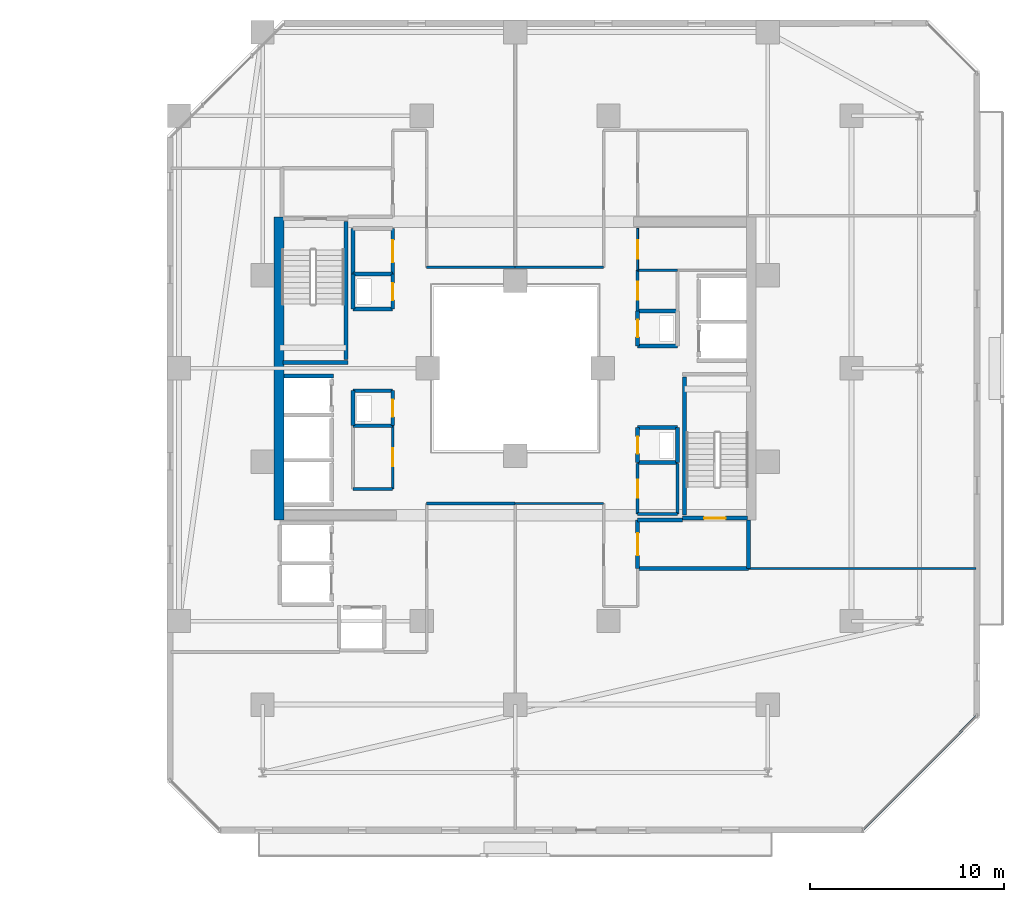
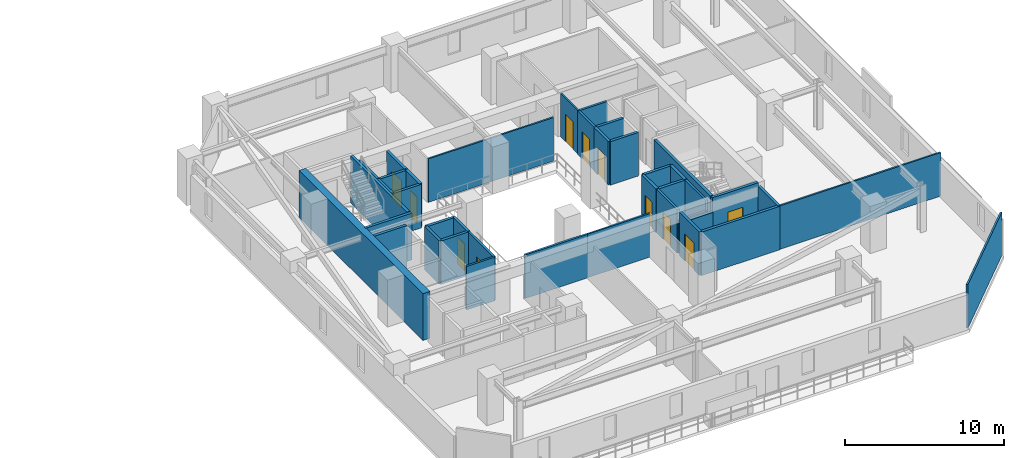
# One storey, part 23 of 32: 41 walls, 11 doors, 11 openings.
"""IFC4 building model written with IfcOpenShell, lengths in metres."""

from ifc_helpers import new_model, si_unit, direction, frame, frame_2d, origin, place, context, subcontext, project, spatial, rectangle, extrude, material, layer, layer_set, type_object, element, fill, save


model = new_model("IFC4")

# Units and contexts
model_context = context("Model", 3, precision=1e-05, world=origin(), true_north=direction((0.0, 1.0)))
body_context = subcontext(model_context, "Body", "Model", "MODEL_VIEW")
ifc_project = project(units=[si_unit("LENGTHUNIT", "METRE"), si_unit("AREAUNIT", "SQUARE_METRE"), si_unit("VOLUMEUNIT", "CUBIC_METRE"), si_unit("PLANEANGLEUNIT", "RADIAN"), si_unit("MASSUNIT", "GRAM", prefix="KILO")], contexts=[model_context])

# Site, building, storey
site_placement = place(None, origin())
site = spatial("IfcSite", under=ifc_project, at=site_placement, CompositionType="ELEMENT")
building_placement = place(site_placement, origin())
building = spatial("IfcBuilding", under=site, at=building_placement, Name="Thornwick Lancets Civic Towers", CompositionType="ELEMENT")
storey_placement = place(building_placement, frame((0.0, 0.0, 123.300048828125)))
storey = spatial("IfcBuildingStorey", under=building, at=storey_placement, Name="L32", CompositionType="ELEMENT", Elevation=123.300048828125)

# Walls
ifc_material_1 = material(Name="Concrete blockwork C40/50", Category="masonry")
ifc_layer_1 = layer(ifc_material_1, 0.199951171875, Name="Concrete blockwork C40/50")
ifc_layer_set_1 = layer_set([ifc_layer_1], Name="Concrete blockwork C40/50")
wall_type_1 = type_object("IfcWallType", Name="WALL_COMP_200", PredefinedType="STANDARD", material=ifc_layer_set_1)
wall_1_placement = place(storey_placement, frame((76.612060546875, 26.60009765625, 0.0), z_axis=(0.0, 0.0, 1.0), x_axis=(1.0, 0.0, 0.0)))
element("IfcWall", 1, at=wall_1_placement, inside=storey, type_object=wall_type_1, Name="L32 Hoistway Shaft Wall FL-B2 N", PredefinedType="STANDARD", context=body_context, shape_type="SweptSolid", body=[
    extrude(rectangle(XDim=2.535888671875, YDim=0.199951171875, at=frame_2d((1.26806640625, 0.0))), origin(), (0.0, 0.0, 1.0), 3.33984375),
])
wall_2_placement = place(storey_placement, frame((94.800048828125, 16.699951171875, 0.0), z_axis=(0.0, 0.0, 1.0), x_axis=(1.0, 0.0, 0.0)))
element("IfcWall", 2, at=wall_2_placement, inside=storey, type_object=wall_type_1, Name="L32 Partition L32-B-FFLOB1 E1", PredefinedType="STANDARD", context=body_context, shape_type="SweptSolid", body=[
    extrude(rectangle(XDim=5.699951171875, YDim=0.199951171875, at=frame_2d((2.85009765625, 0.0))), origin(), (0.0, 0.0, 1.0), 3.33984375),
])
wall_3_placement = place(storey_placement, frame((100.5, 16.699951171875, 0.0), z_axis=(0.0, 0.0, 1.0), x_axis=(0.0, 1.0, 0.0)))
element("IfcWall", 3, at=wall_3_placement, inside=storey, type_object=wall_type_1, Name="L32 Partition L32-B-FFLOB1 E2", PredefinedType="STANDARD", context=body_context, shape_type="SweptSolid", body=[
    extrude(rectangle(XDim=2.5, YDim=0.199951171875, at=frame_2d((1.25, 0.0))), origin(), (0.0, 0.0, 1.0), 3.33984375),
])
wall_4_placement = place(storey_placement, frame((97.10009765625, 19.199951171875, 0.0), z_axis=(0.0, 0.0, 1.0), x_axis=(-1.0, 0.0, 0.0)))
element("IfcWall", 4, at=wall_4_placement, inside=storey, type_object=wall_type_1, Name="L32 Partition L32-B-FFLOB1 E3", PredefinedType="STANDARD", context=body_context, shape_type="SweptSolid", body=[
    extrude(rectangle(XDim=2.300048828125, YDim=0.199951171875, at=frame_2d((1.14990234375, 0.0))), origin(), (0.0, 0.0, 1.0), 2.544921875),
])

# Wall, opening, door
wall_5_placement = place(storey_placement, frame((94.800048828125, 19.199951171875, 0.0), z_axis=(0.0, 0.0, 1.0), x_axis=(0.0, -1.0, 0.0)))
wall_5 = element("IfcWall", 5, at=wall_5_placement, inside=storey, type_object=wall_type_1, Name="L32 Partition L32-B-FFLOB1 E4", PredefinedType="STANDARD", context=body_context, shape_type="SweptSolid", body=[
    extrude(rectangle(XDim=2.5, YDim=0.199951171875, at=frame_2d((1.25, 0.0))), origin(), (0.0, 0.0, 1.0), 3.33984375),
])
opening_1_placement = place(wall_5_placement, frame((0.675048828125, 0.0, 0.0)))
opening_1 = element("IfcOpeningElement", 6, at=opening_1_placement, cuts=wall_5, Name="Opening D-L32-1468", PredefinedType="OPENING", context=body_context, shape_type="SweptSolid", body=[
    extrude(rectangle(XDim=1.14990234375, YDim=2.10009765625, at=frame_2d((0.574951171875, 1.050048828125))), frame((0.0, 0.10986328125, 0.0), z_axis=(0.0, -1.0, 0.0), x_axis=(1.0, 0.0, 0.0)), (0.0, 0.0, 1.0), 0.219970703125),
])
ifc_material_2 = material(Name="Glazed fire-resisting steel", Category="steel")
door_type_1 = type_object("IfcDoorType", Name="DOOR_LOBBY_FD60", OperationType="NOTDEFINED", PredefinedType="DOOR", material=ifc_material_2)
door_1_placement = place(opening_1_placement, origin())
door_1 = element("IfcDoor", 7, at=door_1_placement, inside=storey, type_object=door_type_1, Name="L32 East Firefighting Lobby 1 Door", OperationType="SINGLE_SWING_LEFT", OverallHeight=2.10009765625, OverallWidth=1.14990234375, PredefinedType="DOOR", context=body_context, shape_type="SweptSolid", body=[
    extrude(rectangle(XDim=1.14990234375, YDim=2.10009765625, at=frame_2d((0.574951171875, 1.050048828125))), frame((0.0, 0.02490234375, 0.0), z_axis=(0.0, -1.0, 0.0), x_axis=(1.0, 0.0, 0.0)), (0.0, 0.0, 1.0), 0.050048828125),
])
fill(opening_1, door_1)

# Walls
for number, where, z_axis, x_axis, name in (
    (8, (94.800048828125, 28.14990234375, 0.0), (0.0, 0.0, 1.0), (1.0, 0.0, 0.0), "L32 Partition L32-B-DUCT1 E1"),
    (9, (96.85009765625, 29.949951171875, 0.0), (0.0, 0.0, 1.0), (-1.0, 0.0, 0.0), "L32 Partition L32-B-DUCT1 E3"),
):
    element("IfcWall", number, at=place(storey_placement, frame(where, z_axis=z_axis, x_axis=x_axis)), inside=storey, type_object=wall_type_1, Name=name, PredefinedType="STANDARD", context=body_context, shape_type="SweptSolid", body=[
        extrude(rectangle(XDim=2.050048828125, YDim=0.199951171875, at=frame_2d((1.02490234375, 0.0))), origin(), (0.0, 0.0, 1.0), 3.33984375),
    ])

# Wall, opening, door
wall_6_placement = place(storey_placement, frame((94.800048828125, 29.949951171875, 0.0), z_axis=(0.0, 0.0, 1.0), x_axis=(0.0, -1.0, 0.0)))
wall_6 = element("IfcWall", 10, at=wall_6_placement, inside=storey, type_object=wall_type_1, Name="L32 Partition L32-B-DUCT1 E4", PredefinedType="STANDARD", context=body_context, shape_type="SweptSolid", body=[
    extrude(rectangle(XDim=1.800048828125, YDim=0.199951171875, at=frame_2d((0.89990234375, 0.0))), origin(), (0.0, 0.0, 1.0), 3.33984375),
])
opening_2_placement = place(wall_6_placement, frame((0.4599609375, 0.0, 0.0)))
opening_2 = element("IfcOpeningElement", 11, at=opening_2_placement, cuts=wall_6, Name="Opening D-L32-1470", PredefinedType="OPENING", context=body_context, shape_type="SweptSolid", body=[
    extrude(rectangle(XDim=0.8798828125, YDim=2.0400390625, at=frame_2d((0.43994140625, 1.02001953125))), frame((0.0, 0.10986328125, 0.0), z_axis=(0.0, -1.0, 0.0), x_axis=(1.0, 0.0, 0.0)), (0.0, 0.0, 1.0), 0.219970703125),
])
ifc_material_3 = material(Name="Steel riser access doorset", Category="steel")
door_type_2 = type_object("IfcDoorType", Name="DOOR_RISER_850", OperationType="NOTDEFINED", PredefinedType="DOOR", material=ifc_material_3)
door_2_placement = place(opening_2_placement, origin())
door_2 = element("IfcDoor", 12, at=door_2_placement, inside=storey, type_object=door_type_2, Name="L32 East Service Duct 1 Door", OperationType="SINGLE_SWING_LEFT", OverallHeight=2.0400390625, OverallWidth=0.8798828125, PredefinedType="DOOR", context=body_context, shape_type="SweptSolid", body=[
    extrude(rectangle(XDim=0.8798828125, YDim=2.0400390625, at=frame_2d((0.43994140625, 1.02001953125))), frame((0.0, 0.02490234375, 0.0), z_axis=(0.0, -1.0, 0.0), x_axis=(1.0, 0.0, 0.0)), (0.0, 0.0, 1.0), 0.050048828125),
])
fill(opening_2, door_2)

# Walls
wall_7_placement = place(storey_placement, frame((94.800048828125, 22.14990234375, 0.0), z_axis=(0.0, 0.0, 1.0), x_axis=(1.0, 0.0, 0.0)))
element("IfcWall", 13, at=wall_7_placement, inside=storey, type_object=wall_type_1, Name="L32 Partition L32-B-RISER1 E1", PredefinedType="STANDARD", context=body_context, shape_type="SweptSolid", body=[
    extrude(rectangle(XDim=2.050048828125, YDim=0.199951171875, at=frame_2d((1.02490234375, 0.0))), origin(), (0.0, 0.0, 1.0), 3.33984375),
])
wall_8_placement = place(storey_placement, frame((96.85009765625, 22.14990234375, 0.0), z_axis=(0.0, 0.0, 1.0), x_axis=(0.0, 1.0, 0.0)))
element("IfcWall", 14, at=wall_8_placement, inside=storey, type_object=wall_type_1, Name="L32 Partition L32-B-RISER1 E2", PredefinedType="STANDARD", context=body_context, shape_type="SweptSolid", body=[
    extrude(rectangle(XDim=1.800048828125, YDim=0.199951171875, at=frame_2d((0.89990234375, 0.0))), origin(), (0.0, 0.0, 1.0), 3.33984375),
])
wall_9_placement = place(storey_placement, frame((96.85009765625, 23.949951171875, 0.0), z_axis=(0.0, 0.0, 1.0), x_axis=(-1.0, 0.0, 0.0)))
element("IfcWall", 15, at=wall_9_placement, inside=storey, type_object=wall_type_1, Name="L32 Partition L32-B-RISER1 E3", PredefinedType="STANDARD", context=body_context, shape_type="SweptSolid", body=[
    extrude(rectangle(XDim=2.050048828125, YDim=0.199951171875, at=frame_2d((1.02490234375, 0.0))), origin(), (0.0, 0.0, 1.0), 3.33984375),
])

# Wall, opening, door
wall_10_placement = place(storey_placement, frame((94.800048828125, 23.949951171875, 0.0), z_axis=(0.0, 0.0, 1.0), x_axis=(0.0, -1.0, 0.0)))
wall_10 = element("IfcWall", 16, at=wall_10_placement, inside=storey, type_object=wall_type_1, Name="L32 Partition L32-B-RISER1 E4", PredefinedType="STANDARD", context=body_context, shape_type="SweptSolid", body=[
    extrude(rectangle(XDim=1.800048828125, YDim=0.199951171875, at=frame_2d((0.89990234375, 0.0))), origin(), (0.0, 0.0, 1.0), 3.33984375),
])
opening_3_placement = place(wall_10_placement, frame((0.4599609375, 0.0, 0.0)))
opening_3 = element("IfcOpeningElement", 17, at=opening_3_placement, cuts=wall_10, Name="Opening D-L32-1471", PredefinedType="OPENING", context=body_context, shape_type="SweptSolid", body=[
    extrude(rectangle(XDim=0.8798828125, YDim=2.0400390625, at=frame_2d((0.43994140625, 1.02001953125))), frame((0.0, 0.10986328125, 0.0), z_axis=(0.0, -1.0, 0.0), x_axis=(1.0, 0.0, 0.0)), (0.0, 0.0, 1.0), 0.219970703125),
])
door_3_placement = place(opening_3_placement, origin())
door_3 = element("IfcDoor", 18, at=door_3_placement, inside=storey, type_object=door_type_2, Name="L32 East Electrical Riser 1 Door", OperationType="SINGLE_SWING_RIGHT", OverallHeight=2.0400390625, OverallWidth=0.8798828125, PredefinedType="DOOR", context=body_context, shape_type="SweptSolid", body=[
    extrude(rectangle(XDim=0.8798828125, YDim=2.0400390625, at=frame_2d((0.43994140625, 1.02001953125))), frame((0.0, 0.02490234375, 0.0), z_axis=(0.0, -1.0, 0.0), x_axis=(1.0, 0.0, 0.0)), (0.0, 0.0, 1.0), 0.050048828125),
])
fill(opening_3, door_3)

# Wall
wall_11_placement = place(storey_placement, frame((80.14990234375, 24.050048828125, 0.0), z_axis=(0.0, 0.0, 1.0), x_axis=(1.0, 0.0, 0.0)))
element("IfcWall", 19, at=wall_11_placement, inside=storey, type_object=wall_type_1, Name="L32 Partition L32-B-DUCT2 E1", PredefinedType="STANDARD", context=body_context, shape_type="SweptSolid", body=[
    extrude(rectangle(XDim=2.050048828125, YDim=0.199951171875, at=frame_2d((1.02490234375, 0.0))), origin(), (0.0, 0.0, 1.0), 3.33984375),
])

# Wall, opening, door
wall_12_placement = place(storey_placement, frame((82.199951171875, 24.050048828125, 0.0), z_axis=(0.0, 0.0, 1.0), x_axis=(0.0, 1.0, 0.0)))
wall_12 = element("IfcWall", 20, at=wall_12_placement, inside=storey, type_object=wall_type_1, Name="L32 Partition L32-B-DUCT2 E2", PredefinedType="STANDARD", context=body_context, shape_type="SweptSolid", body=[
    extrude(rectangle(XDim=1.800048828125, YDim=0.199951171875, at=frame_2d((0.89990234375, 0.0))), origin(), (0.0, 0.0, 1.0), 3.33984375),
])
opening_4_placement = place(wall_12_placement, frame((0.4599609375, 0.0, 0.0)))
opening_4 = element("IfcOpeningElement", 21, at=opening_4_placement, cuts=wall_12, Name="Opening D-L32-1472", PredefinedType="OPENING", context=body_context, shape_type="SweptSolid", body=[
    extrude(rectangle(XDim=0.8798828125, YDim=2.0400390625, at=frame_2d((0.43994140625, 1.02001953125))), frame((0.0, 0.10986328125, 0.0), z_axis=(0.0, -1.0, 0.0), x_axis=(1.0, 0.0, 0.0)), (0.0, 0.0, 1.0), 0.219970703125),
])
door_4_placement = place(opening_4_placement, origin())
door_4 = element("IfcDoor", 22, at=door_4_placement, inside=storey, type_object=door_type_2, Name="L32 West Service Duct 2 Door", OperationType="SINGLE_SWING_LEFT", OverallHeight=2.0400390625, OverallWidth=0.8798828125, PredefinedType="DOOR", context=body_context, shape_type="SweptSolid", body=[
    extrude(rectangle(XDim=0.8798828125, YDim=2.0400390625, at=frame_2d((0.43994140625, 1.02001953125))), frame((0.0, 0.02490234375, 0.0), z_axis=(0.0, -1.0, 0.0), x_axis=(1.0, 0.0, 0.0)), (0.0, 0.0, 1.0), 0.050048828125),
])
fill(opening_4, door_4)

# Walls
wall_13_placement = place(storey_placement, frame((82.199951171875, 25.85009765625, 0.0), z_axis=(0.0, 0.0, 1.0), x_axis=(-1.0, 0.0, 0.0)))
element("IfcWall", 23, at=wall_13_placement, inside=storey, type_object=wall_type_1, Name="L32 Partition L32-B-DUCT2 E3", PredefinedType="STANDARD", context=body_context, shape_type="SweptSolid", body=[
    extrude(rectangle(XDim=2.050048828125, YDim=0.199951171875, at=frame_2d((1.02490234375, 0.0))), origin(), (0.0, 0.0, 1.0), 3.33984375),
])
wall_14_placement = place(storey_placement, frame((80.14990234375, 25.85009765625, 0.0), z_axis=(0.0, 0.0, 1.0), x_axis=(0.0, -1.0, 0.0)))
element("IfcWall", 24, at=wall_14_placement, inside=storey, type_object=wall_type_1, Name="L32 Partition L32-B-DUCT2 E4", PredefinedType="STANDARD", context=body_context, shape_type="SweptSolid", body=[
    extrude(rectangle(XDim=1.800048828125, YDim=0.199951171875, at=frame_2d((0.89990234375, 0.0))), origin(), (0.0, 0.0, 1.0), 3.33984375),
])
wall_15_placement = place(storey_placement, frame((80.14990234375, 30.050048828125, 0.0), z_axis=(0.0, 0.0, 1.0), x_axis=(1.0, 0.0, 0.0)))
element("IfcWall", 25, at=wall_15_placement, inside=storey, type_object=wall_type_1, Name="L32 Partition L32-B-RISER2 E1", PredefinedType="STANDARD", context=body_context, shape_type="SweptSolid", body=[
    extrude(rectangle(XDim=2.050048828125, YDim=0.199951171875, at=frame_2d((1.02490234375, 0.0))), origin(), (0.0, 0.0, 1.0), 3.33984375),
])

# Wall, opening, door
wall_16_placement = place(storey_placement, frame((82.199951171875, 30.050048828125, 0.0), z_axis=(0.0, 0.0, 1.0), x_axis=(0.0, 1.0, 0.0)))
wall_16 = element("IfcWall", 26, at=wall_16_placement, inside=storey, type_object=wall_type_1, Name="L32 Partition L32-B-RISER2 E2", PredefinedType="STANDARD", context=body_context, shape_type="SweptSolid", body=[
    extrude(rectangle(XDim=1.800048828125, YDim=0.199951171875, at=frame_2d((0.89990234375, 0.0))), origin(), (0.0, 0.0, 1.0), 3.33984375),
])
opening_5_placement = place(wall_16_placement, frame((0.4599609375, 0.0, 0.0)))
opening_5 = element("IfcOpeningElement", 27, at=opening_5_placement, cuts=wall_16, Name="Opening D-L32-1473", PredefinedType="OPENING", context=body_context, shape_type="SweptSolid", body=[
    extrude(rectangle(XDim=0.8798828125, YDim=2.0400390625, at=frame_2d((0.43994140625, 1.02001953125))), frame((0.0, 0.10986328125, 0.0), z_axis=(0.0, -1.0, 0.0), x_axis=(1.0, 0.0, 0.0)), (0.0, 0.0, 1.0), 0.219970703125),
])
door_5_placement = place(opening_5_placement, origin())
door_5 = element("IfcDoor", 28, at=door_5_placement, inside=storey, type_object=door_type_2, Name="L32 West Service Riser 2 Door", OperationType="SINGLE_SWING_RIGHT", OverallHeight=2.0400390625, OverallWidth=0.8798828125, PredefinedType="DOOR", context=body_context, shape_type="SweptSolid", body=[
    extrude(rectangle(XDim=0.8798828125, YDim=2.0400390625, at=frame_2d((0.43994140625, 1.02001953125))), frame((0.0, 0.02490234375, 0.0), z_axis=(0.0, -1.0, 0.0), x_axis=(1.0, 0.0, 0.0)), (0.0, 0.0, 1.0), 0.050048828125),
])
fill(opening_5, door_5)

# Walls
wall_17_placement = place(storey_placement, frame((82.199951171875, 31.85009765625, 0.0), z_axis=(0.0, 0.0, 1.0), x_axis=(-1.0, 0.0, 0.0)))
element("IfcWall", 29, at=wall_17_placement, inside=storey, type_object=wall_type_1, Name="L32 Partition L32-B-RISER2 E3", PredefinedType="STANDARD", context=body_context, shape_type="SweptSolid", body=[
    extrude(rectangle(XDim=2.050048828125, YDim=0.199951171875, at=frame_2d((1.02490234375, 0.0))), origin(), (0.0, 0.0, 1.0), 3.33984375),
])
wall_18_placement = place(storey_placement, frame((80.14990234375, 31.85009765625, 0.0), z_axis=(0.0, 0.0, 1.0), x_axis=(0.0, -1.0, 0.0)))
element("IfcWall", 30, at=wall_18_placement, inside=storey, type_object=wall_type_1, Name="L32 Partition L32-B-RISER2 E4", PredefinedType="STANDARD", context=body_context, shape_type="SweptSolid", body=[
    extrude(rectangle(XDim=1.800048828125, YDim=0.199951171875, at=frame_2d((0.89990234375, 0.0))), origin(), (0.0, 0.0, 1.0), 3.33984375),
])
wall_19_placement = place(storey_placement, frame((80.14990234375, 31.85009765625, 0.0), z_axis=(0.0, 0.0, 1.0), x_axis=(0.0, 1.0, 0.0)))
element("IfcWall", 31, at=wall_19_placement, inside=storey, type_object=wall_type_1, Name="L32 Partition L32-B-STR E1", PredefinedType="STANDARD", context=body_context, shape_type="SweptSolid", body=[
    extrude(rectangle(XDim=2.349853515625, YDim=0.199951171875, at=frame_2d((1.1748046875, 0.0))), origin(), (0.0, 0.0, 1.0), 3.33984375),
])

# Wall, opening, door
wall_20_placement = place(storey_placement, frame((82.199951171875, 34.199951171875, 0.0), z_axis=(0.0, 0.0, 1.0), x_axis=(0.0, -1.0, 0.0)))
wall_20 = element("IfcWall", 32, at=wall_20_placement, inside=storey, type_object=wall_type_1, Name="L32 Partition L32-B-STR E3", PredefinedType="STANDARD", context=body_context, shape_type="SweptSolid", body=[
    extrude(rectangle(XDim=2.349853515625, YDim=0.199951171875, at=frame_2d((1.1748046875, 0.0))), origin(), (0.0, 0.0, 1.0), 3.33984375),
])
opening_6_placement = place(wall_20_placement, frame((0.60009765625, 0.0, 0.0)))
opening_6 = element("IfcOpeningElement", 33, at=opening_6_placement, cuts=wall_20, Name="Opening D-L32-1478", PredefinedType="OPENING", context=body_context, shape_type="SweptSolid", body=[
    extrude(rectangle(XDim=1.14990234375, YDim=2.10009765625, at=frame_2d((0.574951171875, 1.050048828125))), frame((0.0, 0.10986328125, 0.0), z_axis=(0.0, -1.0, 0.0), x_axis=(1.0, 0.0, 0.0)), (0.0, 0.0, 1.0), 0.219970703125),
])
door_6_placement = place(opening_6_placement, origin())
door_6 = element("IfcDoor", 34, at=door_6_placement, inside=storey, type_object=door_type_1, Name="L32 Tower B Core Equipment Store Door", OperationType="SINGLE_SWING_LEFT", OverallHeight=2.10009765625, OverallWidth=1.14990234375, PredefinedType="DOOR", context=body_context, shape_type="SweptSolid", body=[
    extrude(rectangle(XDim=1.14990234375, YDim=2.10009765625, at=frame_2d((0.574951171875, 1.050048828125))), frame((0.0, 0.02490234375, 0.0), z_axis=(0.0, -1.0, 0.0), x_axis=(1.0, 0.0, 0.0)), (0.0, 0.0, 1.0), 0.050048828125),
])
fill(opening_6, door_6)

# Wall
ifc_material_4 = material(Name="Concrete C50/60", Category="concrete")
ifc_layer_2 = layer(ifc_material_4, 0.5, Name="Concrete C50/60")
ifc_layer_set_2 = layer_set([ifc_layer_2], Name="Concrete C50/60")
wall_type_2 = type_object("IfcWallType", Name="WALL_CORE_500", PredefinedType="SHEAR", material=ifc_layer_set_2)
wall_21_placement = place(storey_placement, frame((76.35009765625, 19.199951171875, 0.0), z_axis=(0.0, 0.0, 1.0), x_axis=(0.0, 1.0, 0.0)))
element("IfcWall", 35, at=wall_21_placement, inside=storey, type_object=wall_type_2, Name="L32 Split Core B2 Shear Wall W", PredefinedType="SHEAR", context=body_context, shape_type="SweptSolid", body=[
    extrude(rectangle(XDim=15.60009765625, YDim=0.5, at=frame_2d((7.800048828125, 0.0))), origin(), (0.0, 0.0, 1.0), 3.599853515625),
])

# Wall, opening, door
ifc_material_5 = material(Name="Lightweight cellular office partition")
ifc_layer_3 = layer(ifc_material_5, 0.10009765625, Name="Lightweight cellular office partition")
ifc_layer_set_3 = layer_set([ifc_layer_3], Name="Lightweight cellular office partition")
wall_type_3 = type_object("IfcWallType", Name="WALL_PART_100", PredefinedType="PARTITIONING", material=ifc_layer_set_3)
wall_22_placement = place(storey_placement, frame((94.800048828125, 32.050048828125, 0.0), z_axis=(0.0, 0.0, 1.0), x_axis=(0.0, 1.0, 0.0)))
wall_22 = element("IfcWall", 36, at=wall_22_placement, inside=storey, type_object=wall_type_3, Name="L32 Partition L32-B-CLN E1", PredefinedType="PARTITIONING", context=body_context, shape_type="SweptSolid", body=[
    extrude(rectangle(XDim=2.14990234375, YDim=0.10009765625, at=frame_2d((1.074951171875, 0.0))), origin(), (0.0, 0.0, 1.0), 3.33984375),
])
opening_7_placement = place(wall_22_placement, frame((0.60009765625, 0.0, 0.0)))
opening_7 = element("IfcOpeningElement", 37, at=opening_7_placement, cuts=wall_22, Name="Opening D-L32-1476", PredefinedType="OPENING", context=body_context, shape_type="SweptSolid", body=[
    extrude(rectangle(XDim=0.949951171875, YDim=2.10009765625, at=frame_2d((0.47509765625, 1.050048828125))), frame((0.0, 0.06005859375, 0.0), z_axis=(0.0, -1.0, 0.0), x_axis=(1.0, 0.0, 0.0)), (0.0, 0.0, 1.0), 0.1201171875),
])
ifc_material_6 = material(Name="European oak acoustic doorset")
door_type_3 = type_object("IfcDoorType", Name="DOOR_OFFICE_950", OperationType="NOTDEFINED", PredefinedType="DOOR", material=ifc_material_6)
door_7_placement = place(opening_7_placement, origin())
door_7 = element("IfcDoor", 38, at=door_7_placement, inside=storey, type_object=door_type_3, Name="L32 Tower B Cleaners Store Door", OperationType="SINGLE_SWING_LEFT", OverallHeight=2.10009765625, OverallWidth=0.949951171875, PredefinedType="DOOR", context=body_context, shape_type="SweptSolid", body=[
    extrude(rectangle(XDim=0.949951171875, YDim=2.10009765625, at=frame_2d((0.47509765625, 1.050048828125))), frame((0.0, 0.02490234375, 0.0), z_axis=(0.0, -1.0, 0.0), x_axis=(1.0, 0.0, 0.0)), (0.0, 0.0, 1.0), 0.050048828125),
])
fill(opening_7, door_7)

# Walls
ifc_material_7 = material(Name="Acoustic gypsum board partition")
ifc_layer_4 = layer(ifc_material_7, 0.1201171875, Name="Acoustic gypsum board partition")
ifc_layer_set_4 = layer_set([ifc_layer_4], Name="Acoustic gypsum board partition")
wall_type_4 = type_object("IfcWallType", Name="WALL_PART_120", PredefinedType="PARTITIONING", material=ifc_layer_set_4)
wall_23_placement = place(storey_placement, frame((88.5, 20.050048828125, 0.0), z_axis=(0.0, 0.0, 1.0), x_axis=(1.0, 0.0, 0.0)))
element("IfcWall", 39, at=wall_23_placement, inside=storey, type_object=wall_type_4, Name="L32 Partition L32-B-W1 E3", PredefinedType="PARTITIONING", context=body_context, shape_type="SweptSolid", body=[
    extrude(rectangle(XDim=4.550048828125, YDim=0.1201171875, at=frame_2d((2.27490234375, 0.0))), origin(), (0.0, 0.0, 1.0), 3.33984375),
])
wall_24_placement = place(storey_placement, frame((100.5, 16.699951171875, 0.0), z_axis=(0.0, 0.0, 1.0), x_axis=(1.0, 0.0, 0.0)))
element("IfcWall", 40, at=wall_24_placement, inside=storey, type_object=wall_type_4, Name="L32 Partition L32-B-W1 E8", PredefinedType="PARTITIONING", context=body_context, shape_type="SweptSolid", body=[
    extrude(rectangle(XDim=11.719970703125, YDim=0.1201171875, at=frame_2d((5.85986328125, 0.0))), origin(), (0.0, 0.0, 1.0), 3.33984375),
])
wall_25_placement = place(storey_placement, frame((112.219970703125, 9.09765625, 0.0), z_axis=(0.0, 0.0, 1.0), x_axis=(-0.707106781187, -0.707106781187, 0.0)))
element("IfcWall", 41, at=wall_25_placement, inside=storey, type_object=wall_type_4, Name="L32 Partition L32-B-W1 E10", PredefinedType="PARTITIONING", context=body_context, shape_type="SweptSolid", body=[
    extrude(rectangle(XDim=8.227294921875, YDim=0.1201171875, at=frame_2d((4.11376953125, 0.0))), origin(), (0.0, 0.0, 1.0), 3.33984375),
])
for number, where, z_axis, x_axis, name in (
    (42, (93.050048828125, 32.199951171875, 0.0), (0.0, 0.0, 1.0), (-1.0, 0.0, 0.0), "L32 Partition L32-B-E1 E5"),
    (43, (88.5, 32.199951171875, 0.0), (0.0, 0.0, 1.0), (-1.0, 0.0, 0.0), "L32 Partition L32-B-E3 E11"),
):
    element("IfcWall", number, at=place(storey_placement, frame(where, z_axis=z_axis, x_axis=x_axis)), inside=storey, type_object=wall_type_4, Name=name, PredefinedType="PARTITIONING", context=body_context, shape_type="SweptSolid", body=[
        extrude(rectangle(XDim=4.550048828125, YDim=0.1201171875, at=frame_2d((2.27490234375, 0.0))), origin(), (0.0, 0.0, 1.0), 3.33984375),
    ])
ifc_material_8 = material(Name="Twin-stud acoustic gypsum board")
ifc_layer_5 = layer(ifc_material_8, 0.14990234375, Name="Twin-stud acoustic gypsum board")
ifc_layer_set_5 = layer_set([ifc_layer_5], Name="Twin-stud acoustic gypsum board")
wall_type_5 = type_object("IfcWallType", Name="WALL_PART_150", PredefinedType="PARTITIONING", material=ifc_layer_set_5)
wall_26_placement = place(storey_placement, frame((94.800048828125, 19.5, 0.0), z_axis=(0.0, 0.0, 1.0), x_axis=(1.0, 0.0, 0.0)))
element("IfcWall", 44, at=wall_26_placement, inside=storey, type_object=wall_type_5, Name="L32 Partition L32-B-AWC E1", PredefinedType="PARTITIONING", context=body_context, shape_type="SweptSolid", body=[
    extrude(rectangle(XDim=2.050048828125, YDim=0.14990234375, at=frame_2d((1.02490234375, 0.0))), origin(), (0.0, 0.0, 1.0), 2.544921875),
])
wall_27_placement = place(storey_placement, frame((96.85009765625, 19.5, 0.0), z_axis=(0.0, 0.0, 1.0), x_axis=(0.0, 1.0, 0.0)))
element("IfcWall", 45, at=wall_27_placement, inside=storey, type_object=wall_type_5, Name="L32 Partition L32-B-AWC E2", PredefinedType="PARTITIONING", context=body_context, shape_type="SweptSolid", body=[
    extrude(rectangle(XDim=2.60009765625, YDim=0.14990234375, at=frame_2d((1.300048828125, 0.0))), origin(), (0.0, 0.0, 1.0), 3.33984375),
])

# Wall, opening, door
wall_28_placement = place(storey_placement, frame((94.800048828125, 22.10009765625, 0.0), z_axis=(0.0, 0.0, 1.0), x_axis=(0.0, -1.0, 0.0)))
wall_28 = element("IfcWall", 46, at=wall_28_placement, inside=storey, type_object=wall_type_5, Name="L32 Partition L32-B-AWC E4", PredefinedType="PARTITIONING", context=body_context, shape_type="SweptSolid", body=[
    extrude(rectangle(XDim=2.60009765625, YDim=0.14990234375, at=frame_2d((1.300048828125, 0.0))), origin(), (0.0, 0.0, 1.0), 3.33984375),
])
opening_8_placement = place(wall_28_placement, frame((0.840087890625, 0.0, 0.0)))
opening_8 = element("IfcOpeningElement", 47, at=opening_8_placement, cuts=wall_28, Name="Opening D-L32-1474", PredefinedType="OPENING", context=body_context, shape_type="SweptSolid", body=[
    extrude(rectangle(XDim=0.919921875, YDim=2.080078125, at=frame_2d((0.4599609375, 1.0400390625))), frame((0.0, 0.0849609375, 0.0), z_axis=(0.0, -1.0, 0.0), x_axis=(1.0, 0.0, 0.0)), (0.0, 0.0, 1.0), 0.169921875),
])
ifc_material_9 = material(Name="Moisture-resistant oak doorset")
door_type_4 = type_object("IfcDoorType", Name="DOOR_WC_900", OperationType="NOTDEFINED", PredefinedType="DOOR", material=ifc_material_9)
door_8_placement = place(opening_8_placement, origin())
door_8 = element("IfcDoor", 48, at=door_8_placement, inside=storey, type_object=door_type_4, Name="L32 Tower B Accessible WC Door", OperationType="SINGLE_SWING_LEFT", OverallHeight=2.080078125, OverallWidth=0.919921875, PredefinedType="DOOR", context=body_context, shape_type="SweptSolid", body=[
    extrude(rectangle(XDim=0.919921875, YDim=2.080078125, at=frame_2d((0.4599609375, 1.0400390625))), frame((0.0, 0.02490234375, 0.0), z_axis=(0.0, -1.0, 0.0), x_axis=(1.0, 0.0, 0.0)), (0.0, 0.0, 1.0), 0.050048828125),
])
fill(opening_8, door_8)

wall_29_placement = place(storey_placement, frame((94.800048828125, 29.949951171875, 0.0), z_axis=(0.0, 0.0, 1.0), x_axis=(0.0, 1.0, 0.0)))
wall_29 = element("IfcWall", 49, at=wall_29_placement, inside=storey, type_object=wall_type_5, Name="L32 Partition L32-B-MWC E1", PredefinedType="PARTITIONING", context=body_context, shape_type="SweptSolid", body=[
    extrude(rectangle(XDim=2.10009765625, YDim=0.14990234375, at=frame_2d((1.050048828125, 0.0))), origin(), (0.0, 0.0, 1.0), 3.33984375),
])
opening_9_placement = place(wall_29_placement, frame((0.590087890625, 0.0, 0.0)))
opening_9 = element("IfcOpeningElement", 50, at=opening_9_placement, cuts=wall_29, Name="Opening D-L32-1475", PredefinedType="OPENING", context=body_context, shape_type="SweptSolid", body=[
    extrude(rectangle(XDim=0.919921875, YDim=2.080078125, at=frame_2d((0.4599609375, 1.0400390625))), frame((0.0, 0.0849609375, 0.0), z_axis=(0.0, -1.0, 0.0), x_axis=(1.0, 0.0, 0.0)), (0.0, 0.0, 1.0), 0.169921875),
])
door_9_placement = place(opening_9_placement, origin())
door_9 = element("IfcDoor", 51, at=door_9_placement, inside=storey, type_object=door_type_4, Name="L32 Tower B Male WC Door", OperationType="SINGLE_SWING_RIGHT", OverallHeight=2.080078125, OverallWidth=0.919921875, PredefinedType="DOOR", context=body_context, shape_type="SweptSolid", body=[
    extrude(rectangle(XDim=0.919921875, YDim=2.080078125, at=frame_2d((0.4599609375, 1.0400390625))), frame((0.0, 0.02490234375, 0.0), z_axis=(0.0, -1.0, 0.0), x_axis=(1.0, 0.0, 0.0)), (0.0, 0.0, 1.0), 0.050048828125),
])
fill(opening_9, door_9)

# Walls
for number, where, z_axis, x_axis, name in (
    (52, (94.800048828125, 32.050048828125, 0.0), (0.0, 0.0, 1.0), (1.0, 0.0, 0.0), "L32 Partition L32-B-MWC E2"),
    (53, (82.199951171875, 20.800048828125, 0.0), (0.0, 0.0, 1.0), (-1.0, 0.0, 0.0), "L32 Partition L32-B-FWC E1"),
):
    element("IfcWall", number, at=place(storey_placement, frame(where, z_axis=z_axis, x_axis=x_axis)), inside=storey, type_object=wall_type_5, Name=name, PredefinedType="PARTITIONING", context=body_context, shape_type="SweptSolid", body=[
        extrude(rectangle(XDim=2.050048828125, YDim=0.14990234375, at=frame_2d((1.02490234375, 0.0))), origin(), (0.0, 0.0, 1.0), 3.33984375),
    ])

# Wall, opening, door
wall_30_placement = place(storey_placement, frame((82.199951171875, 24.050048828125, 0.0), z_axis=(0.0, 0.0, 1.0), x_axis=(0.0, -1.0, 0.0)))
wall_30 = element("IfcWall", 54, at=wall_30_placement, inside=storey, type_object=wall_type_5, Name="L32 Partition L32-B-FWC E4", PredefinedType="PARTITIONING", context=body_context, shape_type="SweptSolid", body=[
    extrude(rectangle(XDim=3.25, YDim=0.14990234375, at=frame_2d((1.625, 0.0))), origin(), (0.0, 0.0, 1.0), 3.33984375),
])
opening_10_placement = place(wall_30_placement, frame((1.1650390625, 0.0, 0.0)))
opening_10 = element("IfcOpeningElement", 55, at=opening_10_placement, cuts=wall_30, Name="Opening D-L32-1477", PredefinedType="OPENING", context=body_context, shape_type="SweptSolid", body=[
    extrude(rectangle(XDim=0.919921875, YDim=2.080078125, at=frame_2d((0.4599609375, 1.0400390625))), frame((0.0, 0.0849609375, 0.0), z_axis=(0.0, -1.0, 0.0), x_axis=(1.0, 0.0, 0.0)), (0.0, 0.0, 1.0), 0.169921875),
])
door_10_placement = place(opening_10_placement, origin())
door_10 = element("IfcDoor", 56, at=door_10_placement, inside=storey, type_object=door_type_4, Name="L32 Tower B Female WC Door", OperationType="SINGLE_SWING_RIGHT", OverallHeight=2.080078125, OverallWidth=0.919921875, PredefinedType="DOOR", context=body_context, shape_type="SweptSolid", body=[
    extrude(rectangle(XDim=0.919921875, YDim=2.080078125, at=frame_2d((0.4599609375, 1.0400390625))), frame((0.0, 0.02490234375, 0.0), z_axis=(0.0, -1.0, 0.0), x_axis=(1.0, 0.0, 0.0)), (0.0, 0.0, 1.0), 0.050048828125),
])
fill(opening_10, door_10)

# Wall
wall_31_placement = place(storey_placement, frame((83.949951171875, 20.050048828125, 0.0), z_axis=(0.0, 0.0, 1.0), x_axis=(1.0, 0.0, 0.0)))
element("IfcWall", 57, at=wall_31_placement, inside=storey, type_object=wall_type_5, Name="L32 Partition L32-B-W2 E2", PredefinedType="PARTITIONING", context=body_context, shape_type="SweptSolid", body=[
    extrude(rectangle(XDim=4.550048828125, YDim=0.14990234375, at=frame_2d((2.27490234375, 0.0))), origin(), (0.0, 0.0, 1.0), 3.33984375),
])

# Wall, opening, door
ifc_material_10 = material(Name="Concrete C40/50", Category="concrete")
ifc_layer_6 = layer(ifc_material_10, 0.199951171875, Name="Concrete C40/50")
ifc_layer_set_6 = layer_set([ifc_layer_6], Name="Concrete C40/50")
wall_type_6 = type_object("IfcWallType", Name="WALL_SHAFT_200", PredefinedType="SHEAR", material=ifc_layer_set_6)
wall_32_placement = place(storey_placement, frame((100.449951171875, 19.300048828125, 0.0), z_axis=(0.0, 0.0, 1.0), x_axis=(-1.0, 0.0, 0.0)))
wall_32 = element("IfcWall", 58, at=wall_32_placement, inside=storey, type_object=wall_type_6, Name="L32 ST-B1 Fire Stair Core Wall NEAR", PredefinedType="SHEAR", context=body_context, shape_type="SweptSolid", body=[
    extrude(rectangle(XDim=3.349853515625, YDim=0.199951171875, at=frame_2d((1.6748046875, 0.0))), origin(), (0.0, 0.0, 1.0), 3.599853515625),
])
opening_11_placement = place(wall_32_placement, frame((1.125, 0.0, 0.0)))
opening_11 = element("IfcOpeningElement", 59, at=opening_11_placement, cuts=wall_32, Name="Opening D-ST-B1-L32", PredefinedType="OPENING", context=body_context, shape_type="SweptSolid", body=[
    extrude(rectangle(XDim=1.10009765625, YDim=2.10009765625, at=frame_2d((0.550048828125, 1.050048828125))), frame((0.0, 0.10986328125, 0.0), z_axis=(0.0, -1.0, 0.0), x_axis=(1.0, 0.0, 0.0)), (0.0, 0.0, 1.0), 0.219970703125),
])
ifc_material_11 = material(Name="Fire-resisting steel and hardwood", Category="steel")
door_type_5 = type_object("IfcDoorType", Name="DOOR_STAIR_FD60", OperationType="NOTDEFINED", PredefinedType="DOOR", material=ifc_material_11)
door_11_placement = place(opening_11_placement, origin())
door_11 = element("IfcDoor", 60, at=door_11_placement, inside=storey, type_object=door_type_5, Name="L32 ST-B1 Exit Stair Door", OperationType="SINGLE_SWING_RIGHT", OverallHeight=2.10009765625, OverallWidth=1.10009765625, PredefinedType="DOOR", context=body_context, shape_type="SweptSolid", body=[
    extrude(rectangle(XDim=1.10009765625, YDim=2.10009765625, at=frame_2d((0.550048828125, 1.050048828125))), frame((0.0, 0.02490234375, 0.0), z_axis=(0.0, -1.0, 0.0), x_axis=(1.0, 0.0, 0.0)), (0.0, 0.0, 1.0), 0.050048828125),
])
fill(opening_11, door_11)

# Walls
wall_33_placement = place(storey_placement, frame((97.202880859375, 26.550048828125, 0.0), z_axis=(0.0, 0.0, 1.0), x_axis=(0.0, -1.0, 0.0)))
element("IfcWall", 61, at=wall_33_placement, inside=storey, type_object=wall_type_6, Name="L32 ST-B1 Fire Stair Core Wall RIGHT", PredefinedType="SHEAR", context=body_context, shape_type="SweptSolid", body=[
    extrude(rectangle(XDim=7.10009765625, YDim=0.199951171875, at=frame_2d((3.550048828125, 0.0))), origin(), (0.0, 0.0, 1.0), 3.599853515625),
])
wall_34_placement = place(storey_placement, frame((79.89990234375, 27.300048828125, 0.0), z_axis=(0.0, 0.0, 1.0), x_axis=(-1.0, 0.0, 0.0)))
element("IfcWall", 62, at=wall_34_placement, inside=storey, type_object=wall_type_6, Name="L32 ST-B2 Fire Stair Core Wall FAR", PredefinedType="SHEAR", context=body_context, shape_type="SweptSolid", body=[
    extrude(rectangle(XDim=3.349853515625, YDim=0.199951171875, at=frame_2d((1.6748046875, 0.0))), origin(), (0.0, 0.0, 1.0), 3.599853515625),
])
wall_35_placement = place(storey_placement, frame((79.797119140625, 27.449951171875, 0.0), z_axis=(0.0, 0.0, 1.0), x_axis=(0.0, 1.0, 0.0)))
element("IfcWall", 63, at=wall_35_placement, inside=storey, type_object=wall_type_6, Name="L32 ST-B2 Fire Stair Core Wall RIGHT", PredefinedType="SHEAR", context=body_context, shape_type="SweptSolid", body=[
    extrude(rectangle(XDim=7.10009765625, YDim=0.199951171875, at=frame_2d((3.550048828125, 0.0))), origin(), (0.0, 0.0, 1.0), 3.599853515625),
])

save(model, "model.ifc")
